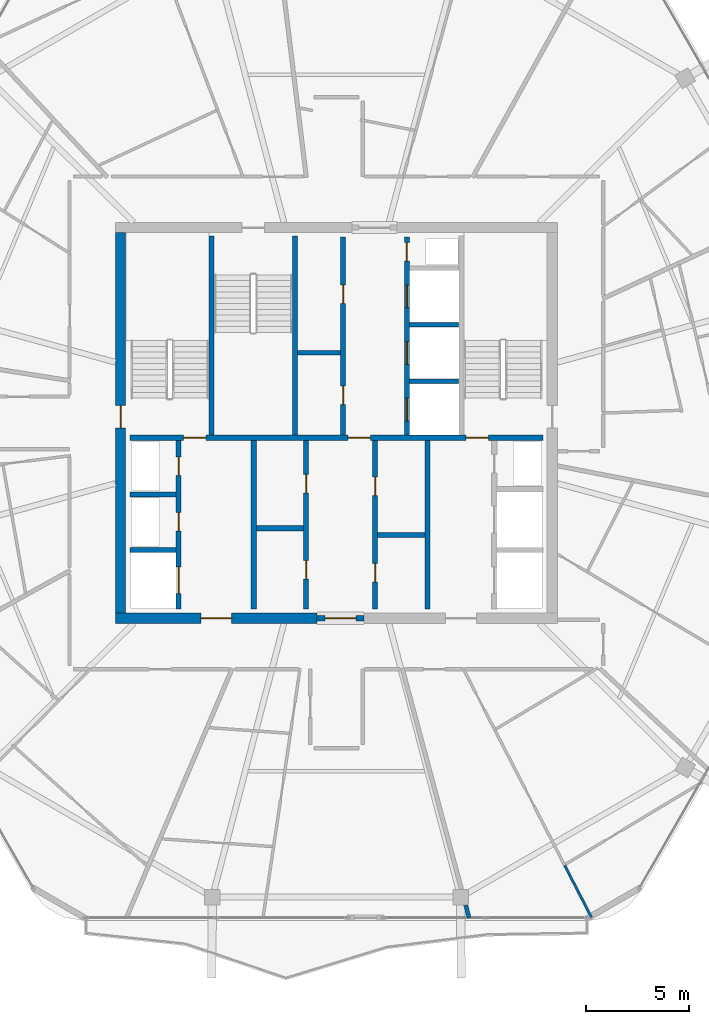
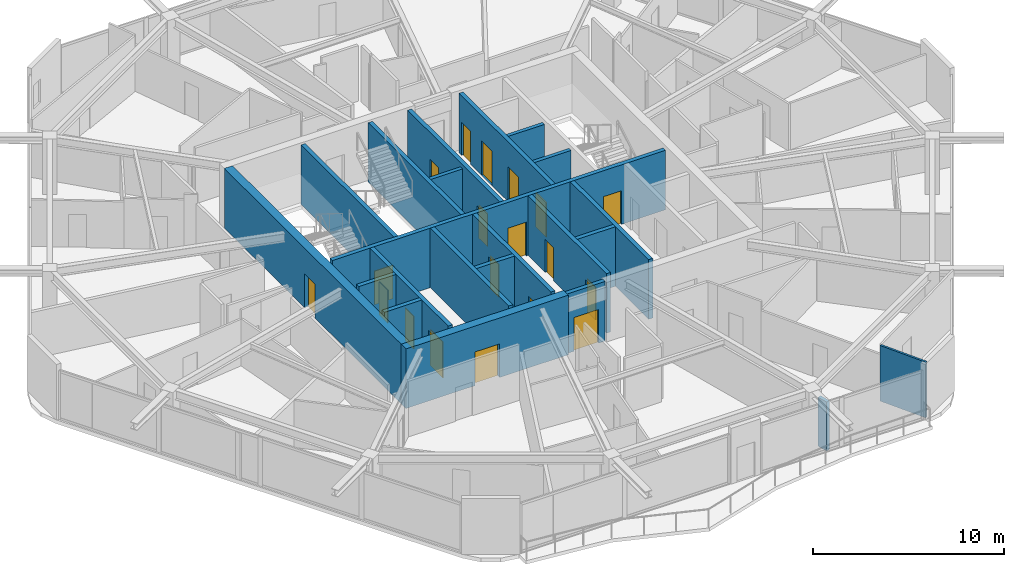
# One storey, part 16 of 21: 22 walls, 19 doors, 19 openings.
"""IFC4 building model written with IfcOpenShell, lengths in metres."""

from ifc_helpers import new_model, si_unit, direction, frame, frame_2d, origin, place, context, subcontext, project, spatial, rectangle, extrude, material, layer, layer_set, type_object, element, fill, save


model = new_model("IFC4")

# Units and contexts
model_context = context("Model", 3, precision=1e-05, world=origin(), true_north=direction((0.0, 1.0)))
body_context = subcontext(model_context, "Body", "Model", "MODEL_VIEW")
ifc_project = project(units=[si_unit("LENGTHUNIT", "METRE"), si_unit("AREAUNIT", "SQUARE_METRE"), si_unit("VOLUMEUNIT", "CUBIC_METRE"), si_unit("PLANEANGLEUNIT", "RADIAN"), si_unit("MASSUNIT", "GRAM", prefix="KILO")], contexts=[model_context])

# Site, building, storey
site_placement = place(None, origin())
site = spatial("IfcSite", under=ifc_project, at=site_placement, CompositionType="ELEMENT")
building_placement = place(site_placement, origin())
building = spatial("IfcBuilding", under=site, at=building_placement, Name="Zuhravey Tower", CompositionType="ELEMENT")
storey_placement = place(building_placement, frame((0.0, 0.0, 334.800048828125)))
storey = spatial("IfcBuildingStorey", under=building, at=storey_placement, Name="L85", CompositionType="ELEMENT", Elevation=334.800048828125)

# Wall, opening, door
ifc_material_1 = material(Name="Concrete C50/60", Category="concrete")
ifc_layer_1 = layer(ifc_material_1, 0.5)
ifc_layer_set_1 = layer_set([ifc_layer_1], Name="Concrete C50/60")
wall_type_1 = type_object("IfcWallType", Name="Core Shear Wall 500", PredefinedType="SHEAR", material=ifc_layer_set_1)
wall_1_placement = place(storey_placement, frame((25.25, 22.5, 0.0), z_axis=(0.0, 0.0, 1.0), x_axis=(1.0, 0.0, 0.0)))
wall_1 = element("IfcWall", 1, at=wall_1_placement, inside=storey, type_object=wall_type_1, Name="L85 South-West Core Shear Wall CW50", PredefinedType="SHEAR", context=body_context, shape_type="SweptSolid", body=[
    extrude(rectangle(XDim=9.800048828125, YDim=0.5, at=frame_2d((4.89990234375, 0.0))), origin(), (0.0, 0.0, 1.0), 3.800048828125),
])
opening_1_placement = place(wall_1_placement, frame((4.14990234375, 0.0, 0.0)))
opening_1 = element("IfcOpeningElement", 2, at=opening_1_placement, cuts=wall_1, Name="Opening FFD1", PredefinedType="OPENING", context=body_context, shape_type="SweptSolid", body=[
    extrude(rectangle(XDim=1.5, YDim=2.14990234375, at=frame_2d((0.75, 1.074951171875))), frame((0.0, 0.261962890625, 0.0), z_axis=(0.0, -1.0, 0.0), x_axis=(1.0, 0.0, 0.0)), (0.0, 0.0, 1.0), 0.52392578125),
])
ifc_material_2 = material(Name="Galvanised fire-rated steel leaf", Category="steel")
door_type_1 = type_object("IfcDoorType", Name="Firefighting Lobby Double Door 1500x2150", OperationType="DOUBLE_DOOR_SINGLE_SWING", PredefinedType="DOOR", material=ifc_material_2)
door_1_placement = place(opening_1_placement, origin())
door_1 = element("IfcDoor", 3, at=door_1_placement, inside=storey, type_object=door_type_1, Name="L85 Firefighting Lobby West Door", OperationType="DOUBLE_DOOR_SINGLE_SWING", OverallHeight=2.14990234375, OverallWidth=1.5, PredefinedType="DOOR", context=body_context, shape_type="SweptSolid", body=[
    extrude(rectangle(XDim=1.5, YDim=2.14990234375, at=frame_2d((0.75, 1.074951171875))), frame((0.0, 0.02490234375, 0.0), z_axis=(0.0, -1.0, 0.0), x_axis=(1.0, 0.0, 0.0)), (0.0, 0.0, 1.0), 0.050048828125),
])
fill(opening_1, door_1)

wall_2_placement = place(storey_placement, frame((25.5, 22.75, 0.0), z_axis=(0.0, 0.0, 1.0), x_axis=(0.0, 1.0, 0.0)))
wall_2 = element("IfcWall", 4, at=wall_2_placement, inside=storey, type_object=wall_type_1, Name="L85 West Core Shear Wall CW50", PredefinedType="SHEAR", context=body_context, shape_type="SweptSolid", body=[
    extrude(rectangle(XDim=18.5, YDim=0.5, at=frame_2d((9.25, 0.0))), origin(), (0.0, 0.0, 1.0), 3.800048828125),
])
opening_2_placement = place(wall_2_placement, frame((9.0, 0.0, 0.0)))
opening_2 = element("IfcOpeningElement", 5, at=opening_2_placement, cuts=wall_2, Name="Opening STD1", PredefinedType="OPENING", context=body_context, shape_type="SweptSolid", body=[
    extrude(rectangle(XDim=1.10009765625, YDim=2.14990234375, at=frame_2d((0.550048828125, 1.074951171875))), frame((0.0, 0.261962890625, 0.0), z_axis=(0.0, -1.0, 0.0), x_axis=(1.0, 0.0, 0.0)), (0.0, 0.0, 1.0), 0.52392578125),
])
door_type_2 = type_object("IfcDoorType", Name="Protected Stair Fire Door 1100x2150", OperationType="NOTDEFINED", PredefinedType="USERDEFINED", material=ifc_material_2)
door_2_placement = place(opening_2_placement, frame((1.10009765625, 0.0, 0.0), z_axis=(0.0, 0.0, 1.0), x_axis=(-1.0, 0.0, 0.0)))
door_2 = element("IfcDoor", 6, at=door_2_placement, inside=storey, type_object=door_type_2, Name="L85 Stair ST1 Door", ObjectType="EXITDOOR", OperationType="SINGLE_SWING_RIGHT", OverallHeight=2.14990234375, OverallWidth=1.10009765625, PredefinedType="USERDEFINED", context=body_context, shape_type="SweptSolid", body=[
    extrude(rectangle(XDim=1.10009765625, YDim=2.14990234375, at=frame_2d((0.550048828125, 1.074951171875))), frame((0.0, 0.02490234375, 0.0), z_axis=(0.0, -1.0, 0.0), x_axis=(1.0, 0.0, 0.0)), (0.0, 0.0, 1.0), 0.050048828125),
])
fill(opening_2, door_2)

ifc_layer_2 = layer(ifc_material_1, 0.25)
ifc_layer_set_2 = layer_set([ifc_layer_2], Name="Concrete C50/60")
wall_type_2 = type_object("IfcWallType", Name="Firefighting Shaft & Stair Wall 250", PredefinedType="SOLIDWALL", material=ifc_layer_set_2)
wall_3_placement = place(storey_placement, frame((35.06005859375, 22.5, 0.0), z_axis=(0.0, 0.0, 1.0), x_axis=(1.0, 0.0, 0.0)))
wall_3 = element("IfcWall", 7, at=wall_3_placement, inside=storey, type_object=wall_type_2, Name="L85 FW25 Shaft Wall 001", PredefinedType="SOLIDWALL", context=body_context, shape_type="SweptSolid", body=[
    extrude(rectangle(XDim=2.280029296875, YDim=0.25, at=frame_2d((1.14013671875, 0.0))), origin(), (0.0, 0.0, 1.0), 3.800048828125),
])
opening_3_placement = place(wall_3_placement, frame((0.389892578125, 0.0, 0.0)))
opening_3 = element("IfcOpeningElement", 8, at=opening_3_placement, cuts=wall_3, Name="Opening FFD1", PredefinedType="OPENING", context=body_context, shape_type="SweptSolid", body=[
    extrude(rectangle(XDim=1.5, YDim=2.14990234375, at=frame_2d((0.75, 1.074951171875))), frame((0.0, 0.136962890625, 0.0), z_axis=(0.0, -1.0, 0.0), x_axis=(1.0, 0.0, 0.0)), (0.0, 0.0, 1.0), 0.27392578125),
])
door_3_placement = place(opening_3_placement, frame((1.5, 0.0, 0.0), z_axis=(0.0, 0.0, 1.0), x_axis=(-1.0, 0.0, 0.0)))
door_3 = element("IfcDoor", 9, at=door_3_placement, inside=storey, type_object=door_type_1, Name="L85 South Lift Lobby Exit Door", OperationType="DOUBLE_DOOR_SINGLE_SWING", OverallHeight=2.14990234375, OverallWidth=1.5, PredefinedType="DOOR", context=body_context, shape_type="SweptSolid", body=[
    extrude(rectangle(XDim=1.5, YDim=2.14990234375, at=frame_2d((0.75, 1.074951171875))), frame((0.0, 0.02490234375, 0.0), z_axis=(0.0, -1.0, 0.0), x_axis=(1.0, 0.0, 0.0)), (0.0, 0.0, 1.0), 0.050048828125),
])
fill(opening_3, door_3)

# Wall, openings, doors
wall_4_placement = place(storey_placement, frame((25.949951171875, 31.27490234375, 0.0), z_axis=(0.0, 0.0, 1.0), x_axis=(1.0, 0.0, 0.0)))
wall_4 = element("IfcWall", 10, at=wall_4_placement, inside=storey, type_object=wall_type_2, Name="L85 FW25 Shaft Wall 003", PredefinedType="SOLIDWALL", context=body_context, shape_type="SweptSolid", body=[
    extrude(rectangle(XDim=20.10009765625, YDim=0.25, at=frame_2d((10.050048828125, 0.0))), origin(), (0.0, 0.0, 1.0), 3.800048828125),
])
opening_4_placement = place(wall_4_placement, frame((2.60009765625, 0.0, 0.0)))
opening_4 = element("IfcOpeningElement", 11, at=opening_4_placement, cuts=wall_4, Name="Opening STD1", PredefinedType="OPENING", context=body_context, shape_type="SweptSolid", body=[
    extrude(rectangle(XDim=1.10009765625, YDim=2.14990234375, at=frame_2d((0.550048828125, 1.074951171875))), frame((0.0, 0.136962890625, 0.0), z_axis=(0.0, -1.0, 0.0), x_axis=(1.0, 0.0, 0.0)), (0.0, 0.0, 1.0), 0.27392578125),
])
opening_5_placement = place(wall_4_placement, frame((10.60009765625, 0.0, 0.0)))
opening_5 = element("IfcOpeningElement", 12, at=opening_5_placement, cuts=wall_4, Name="Opening STD1", PredefinedType="OPENING", context=body_context, shape_type="SweptSolid", body=[
    extrude(rectangle(XDim=1.10009765625, YDim=2.14990234375, at=frame_2d((0.550048828125, 1.074951171875))), frame((0.0, 0.136962890625, 0.0), z_axis=(0.0, -1.0, 0.0), x_axis=(1.0, 0.0, 0.0)), (0.0, 0.0, 1.0), 0.27392578125),
])
opening_6_placement = place(wall_4_placement, frame((16.35009765625, 0.0, 0.0)))
opening_6 = element("IfcOpeningElement", 13, at=opening_6_placement, cuts=wall_4, Name="Opening STD1", PredefinedType="OPENING", context=body_context, shape_type="SweptSolid", body=[
    extrude(rectangle(XDim=1.10009765625, YDim=2.14990234375, at=frame_2d((0.550048828125, 1.074951171875))), frame((0.0, 0.136962890625, 0.0), z_axis=(0.0, -1.0, 0.0), x_axis=(1.0, 0.0, 0.0)), (0.0, 0.0, 1.0), 0.27392578125),
])
door_4_placement = place(opening_4_placement, origin())
door_4 = element("IfcDoor", 14, at=door_4_placement, inside=storey, type_object=door_type_2, Name="L85 FFL-W to ST1 Door", ObjectType="EXITDOOR", OperationType="SINGLE_SWING_LEFT", OverallHeight=2.14990234375, OverallWidth=1.10009765625, PredefinedType="USERDEFINED", context=body_context, shape_type="SweptSolid", body=[
    extrude(rectangle(XDim=1.10009765625, YDim=2.14990234375, at=frame_2d((0.550048828125, 1.074951171875))), frame((0.0, 0.02490234375, 0.0), z_axis=(0.0, -1.0, 0.0), x_axis=(1.0, 0.0, 0.0)), (0.0, 0.0, 1.0), 0.050048828125),
])
fill(opening_4, door_4)
door_5_placement = place(opening_5_placement, origin())
door_5 = element("IfcDoor", 15, at=door_5_placement, inside=storey, type_object=door_type_2, Name="L85 Core Lobby Link Door", ObjectType="EXITDOOR", OperationType="SINGLE_SWING_RIGHT", OverallHeight=2.14990234375, OverallWidth=1.10009765625, PredefinedType="USERDEFINED", context=body_context, shape_type="SweptSolid", body=[
    extrude(rectangle(XDim=1.10009765625, YDim=2.14990234375, at=frame_2d((0.550048828125, 1.074951171875))), frame((0.0, 0.02490234375, 0.0), z_axis=(0.0, -1.0, 0.0), x_axis=(1.0, 0.0, 0.0)), (0.0, 0.0, 1.0), 0.050048828125),
])
fill(opening_5, door_5)
door_6_placement = place(opening_6_placement, origin())
door_6 = element("IfcDoor", 16, at=door_6_placement, inside=storey, type_object=door_type_2, Name="L85 FFL-E to ST2 Door", ObjectType="EXITDOOR", OperationType="SINGLE_SWING_LEFT", OverallHeight=2.14990234375, OverallWidth=1.10009765625, PredefinedType="USERDEFINED", context=body_context, shape_type="SweptSolid", body=[
    extrude(rectangle(XDim=1.10009765625, YDim=2.14990234375, at=frame_2d((0.550048828125, 1.074951171875))), frame((0.0, 0.02490234375, 0.0), z_axis=(0.0, -1.0, 0.0), x_axis=(1.0, 0.0, 0.0)), (0.0, 0.0, 1.0), 0.050048828125),
])
fill(opening_6, door_6)

# Walls
for number, where, z_axis, x_axis, name in (
    (17, (29.925048828125, 31.39990234375, 0.0), (0.0, 0.0, 1.0), (0.0, 1.0, 0.0), "L85 FW25 Shaft Wall 004"),
    (18, (33.97509765625, 31.39990234375, 0.0), (0.0, 0.0, 1.0), (0.0, 1.0, 0.0), "L85 FW25 Shaft Wall 005"),
):
    element("IfcWall", number, at=place(storey_placement, frame(where, z_axis=z_axis, x_axis=x_axis)), inside=storey, type_object=wall_type_2, Name=name, PredefinedType="SOLIDWALL", context=body_context, shape_type="SweptSolid", body=[
        extrude(rectangle(XDim=9.7001953125, YDim=0.25, at=frame_2d((4.85009765625, 0.0))), origin(), (0.0, 0.0, 1.0), 3.800048828125),
    ])

# Wall, openings, doors
wall_5_placement = place(storey_placement, frame((36.324951171875, 31.39990234375, 0.0), z_axis=(0.0, 0.0, 1.0), x_axis=(0.0, 1.0, 0.0)))
wall_5 = element("IfcWall", 19, at=wall_5_placement, inside=storey, type_object=wall_type_2, Name="L85 FW25 Shaft Wall 007", PredefinedType="SOLIDWALL", context=body_context, shape_type="SweptSolid", body=[
    extrude(rectangle(XDim=9.650146484375, YDim=0.25, at=frame_2d((4.8251953125, 0.0))), origin(), (0.0, 0.0, 1.0), 3.800048828125),
])
opening_7_placement = place(wall_5_placement, frame((1.489990234375, 0.0, 0.0)))
opening_7 = element("IfcOpeningElement", 20, at=opening_7_placement, cuts=wall_5, Name="Opening RSD1", PredefinedType="OPENING", context=body_context, shape_type="SweptSolid", body=[
    extrude(rectangle(XDim=0.89990234375, YDim=2.10009765625, at=frame_2d((0.449951171875, 1.050048828125))), frame((0.0, 0.136962890625, 0.0), z_axis=(0.0, -1.0, 0.0), x_axis=(1.0, 0.0, 0.0)), (0.0, 0.0, 1.0), 0.27392578125),
])
opening_8_placement = place(wall_5_placement, frame((6.409912109375, 0.0, 0.0)))
opening_8 = element("IfcOpeningElement", 21, at=opening_8_placement, cuts=wall_5, Name="Opening RSD1", PredefinedType="OPENING", context=body_context, shape_type="SweptSolid", body=[
    extrude(rectangle(XDim=0.89990234375, YDim=2.10009765625, at=frame_2d((0.449951171875, 1.050048828125))), frame((0.0, 0.136962890625, 0.0), z_axis=(0.0, -1.0, 0.0), x_axis=(1.0, 0.0, 0.0)), (0.0, 0.0, 1.0), 0.27392578125),
])
ifc_material_3 = material(Name="Galvanised fire-rated steel access leaf", Category="steel")
door_type_3 = type_object("IfcDoorType", Name="Riser & Shaft Access Fire Door 900x2100", OperationType="NOTDEFINED", PredefinedType="DOOR", material=ifc_material_3)
door_7_placement = place(opening_7_placement, origin())
door_7 = element("IfcDoor", 22, at=door_7_placement, inside=storey, type_object=door_type_3, Name="L85 Core Cleaner Store Door", OperationType="SINGLE_SWING_RIGHT", OverallHeight=2.10009765625, OverallWidth=0.89990234375, PredefinedType="DOOR", context=body_context, shape_type="SweptSolid", body=[
    extrude(rectangle(XDim=0.89990234375, YDim=2.10009765625, at=frame_2d((0.449951171875, 1.050048828125))), frame((0.0, 0.02490234375, 0.0), z_axis=(0.0, -1.0, 0.0), x_axis=(1.0, 0.0, 0.0)), (0.0, 0.0, 1.0), 0.050048828125),
])
fill(opening_7, door_7)
door_8_placement = place(opening_8_placement, origin())
door_8 = element("IfcDoor", 23, at=door_8_placement, inside=storey, type_object=door_type_3, Name="L85 Core Pantry and Tea Room Door", OperationType="SINGLE_SWING_LEFT", OverallHeight=2.10009765625, OverallWidth=0.89990234375, PredefinedType="DOOR", context=body_context, shape_type="SweptSolid", body=[
    extrude(rectangle(XDim=0.89990234375, YDim=2.10009765625, at=frame_2d((0.449951171875, 1.050048828125))), frame((0.0, 0.02490234375, 0.0), z_axis=(0.0, -1.0, 0.0), x_axis=(1.0, 0.0, 0.0)), (0.0, 0.0, 1.0), 0.050048828125),
])
fill(opening_8, door_8)

wall_6_placement = place(storey_placement, frame((39.425048828125, 31.39990234375, 0.0), z_axis=(0.0, 0.0, 1.0), x_axis=(0.0, 1.0, 0.0)))
wall_6 = element("IfcWall", 24, at=wall_6_placement, inside=storey, type_object=wall_type_2, Name="L85 FW25 Shaft Wall 008", PredefinedType="SOLIDWALL", context=body_context, shape_type="SweptSolid", body=[
    extrude(rectangle(XDim=9.650146484375, YDim=0.25, at=frame_2d((4.8251953125, 0.0))), origin(), (0.0, 0.0, 1.0), 3.800048828125),
])
opening_9_placement = place(wall_6_placement, frame((0.699951171875, 0.0, 0.0)))
opening_9 = element("IfcOpeningElement", 25, at=opening_9_placement, cuts=wall_6, Name="Opening LD1", PredefinedType="OPENING", context=body_context, shape_type="SweptSolid", body=[
    extrude(rectangle(XDim=1.10009765625, YDim=2.199951171875, at=frame_2d((0.550048828125, 1.10009765625))), frame((0.0, 0.136962890625, 0.0), z_axis=(0.0, -1.0, 0.0), x_axis=(1.0, 0.0, 0.0)), (0.0, 0.0, 1.0), 0.27392578125),
])
opening_10_placement = place(wall_6_placement, frame((3.449951171875, 0.0, 0.0)))
opening_10 = element("IfcOpeningElement", 26, at=opening_10_placement, cuts=wall_6, Name="Opening LD1", PredefinedType="OPENING", context=body_context, shape_type="SweptSolid", body=[
    extrude(rectangle(XDim=1.10009765625, YDim=2.199951171875, at=frame_2d((0.550048828125, 1.10009765625))), frame((0.0, 0.136962890625, 0.0), z_axis=(0.0, -1.0, 0.0), x_axis=(1.0, 0.0, 0.0)), (0.0, 0.0, 1.0), 0.27392578125),
])
opening_11_placement = place(wall_6_placement, frame((6.199951171875, 0.0, 0.0)))
opening_11 = element("IfcOpeningElement", 27, at=opening_11_placement, cuts=wall_6, Name="Opening LD1", PredefinedType="OPENING", context=body_context, shape_type="SweptSolid", body=[
    extrude(rectangle(XDim=1.10009765625, YDim=2.199951171875, at=frame_2d((0.550048828125, 1.10009765625))), frame((0.0, 0.136962890625, 0.0), z_axis=(0.0, -1.0, 0.0), x_axis=(1.0, 0.0, 0.0)), (0.0, 0.0, 1.0), 0.27392578125),
])
opening_12_placement = place(wall_6_placement, frame((8.469970703125, 0.0, 0.0)))
opening_12 = element("IfcOpeningElement", 28, at=opening_12_placement, cuts=wall_6, Name="Opening RSD1", PredefinedType="OPENING", context=body_context, shape_type="SweptSolid", body=[
    extrude(rectangle(XDim=0.89990234375, YDim=2.10009765625, at=frame_2d((0.449951171875, 1.050048828125))), frame((0.0, 0.136962890625, 0.0), z_axis=(0.0, -1.0, 0.0), x_axis=(1.0, 0.0, 0.0)), (0.0, 0.0, 1.0), 0.27392578125),
])
ifc_material_4 = material(Name="Brushed stainless steel", Category="steel")
door_type_4 = type_object("IfcDoorType", Name="Lift Landing Sliding Door 1100x2200", OperationType="DOUBLE_DOOR_SLIDING", PredefinedType="DOOR", material=ifc_material_4)
door_9_placement = place(opening_9_placement, origin())
door_9 = element("IfcDoor", 29, at=door_9_placement, inside=storey, type_object=door_type_4, Name="L85 Lift PL7 Landing Door", OperationType="DOUBLE_DOOR_SLIDING", OverallHeight=2.199951171875, OverallWidth=1.10009765625, PredefinedType="DOOR", context=body_context, shape_type="SweptSolid", body=[
    extrude(rectangle(XDim=1.10009765625, YDim=2.199951171875, at=frame_2d((0.550048828125, 1.10009765625))), frame((0.0, 0.02490234375, 0.0), z_axis=(0.0, -1.0, 0.0), x_axis=(1.0, 0.0, 0.0)), (0.0, 0.0, 1.0), 0.050048828125),
])
fill(opening_9, door_9)
door_10_placement = place(opening_10_placement, origin())
door_10 = element("IfcDoor", 30, at=door_10_placement, inside=storey, type_object=door_type_4, Name="L85 Lift PL8 Landing Door", OperationType="DOUBLE_DOOR_SLIDING", OverallHeight=2.199951171875, OverallWidth=1.10009765625, PredefinedType="DOOR", context=body_context, shape_type="SweptSolid", body=[
    extrude(rectangle(XDim=1.10009765625, YDim=2.199951171875, at=frame_2d((0.550048828125, 1.10009765625))), frame((0.0, 0.02490234375, 0.0), z_axis=(0.0, -1.0, 0.0), x_axis=(1.0, 0.0, 0.0)), (0.0, 0.0, 1.0), 0.050048828125),
])
fill(opening_10, door_10)
door_11_placement = place(opening_11_placement, origin())
door_11 = element("IfcDoor", 31, at=door_11_placement, inside=storey, type_object=door_type_4, Name="L85 Lift PL9 Landing Door", OperationType="DOUBLE_DOOR_SLIDING", OverallHeight=2.199951171875, OverallWidth=1.10009765625, PredefinedType="DOOR", context=body_context, shape_type="SweptSolid", body=[
    extrude(rectangle(XDim=1.10009765625, YDim=2.199951171875, at=frame_2d((0.550048828125, 1.10009765625))), frame((0.0, 0.02490234375, 0.0), z_axis=(0.0, -1.0, 0.0), x_axis=(1.0, 0.0, 0.0)), (0.0, 0.0, 1.0), 0.050048828125),
])
fill(opening_11, door_11)
door_12_placement = place(opening_12_placement, origin())
door_12 = element("IfcDoor", 32, at=door_12_placement, inside=storey, type_object=door_type_3, Name="L85 North Riser Door", OperationType="SINGLE_SWING_RIGHT", OverallHeight=2.10009765625, OverallWidth=0.89990234375, PredefinedType="DOOR", context=body_context, shape_type="SweptSolid", body=[
    extrude(rectangle(XDim=0.89990234375, YDim=2.10009765625, at=frame_2d((0.449951171875, 1.050048828125))), frame((0.0, 0.02490234375, 0.0), z_axis=(0.0, -1.0, 0.0), x_axis=(1.0, 0.0, 0.0)), (0.0, 0.0, 1.0), 0.050048828125),
])
fill(opening_12, door_12)

# Walls
for number, where, z_axis, x_axis, name in (
    (33, (25.949951171875, 25.824951171875, 0.0), (0.0, 0.0, 1.0), (1.0, 0.0, 0.0), "L85 FW25 Shaft Wall 009"),
    (34, (25.949951171875, 28.52490234375, 0.0), (0.0, 0.0, 1.0), (1.0, 0.0, 0.0), "L85 FW25 Shaft Wall 010"),
):
    element("IfcWall", number, at=place(storey_placement, frame(where, z_axis=z_axis, x_axis=x_axis)), inside=storey, type_object=wall_type_2, Name=name, PredefinedType="SOLIDWALL", context=body_context, shape_type="SweptSolid", body=[
        extrude(rectangle(XDim=2.25, YDim=0.25, at=frame_2d((1.125, 0.0))), origin(), (0.0, 0.0, 1.0), 3.800048828125),
    ])

# Wall, openings, doors
wall_7_placement = place(storey_placement, frame((28.324951171875, 22.949951171875, 0.0), z_axis=(0.0, 0.0, 1.0), x_axis=(0.0, 1.0, 0.0)))
wall_7 = element("IfcWall", 35, at=wall_7_placement, inside=storey, type_object=wall_type_2, Name="L85 FW25 Shaft Wall 011", PredefinedType="SOLIDWALL", context=body_context, shape_type="SweptSolid", body=[
    extrude(rectangle(XDim=8.199951171875, YDim=0.25, at=frame_2d((4.10009765625, 0.0))), origin(), (0.0, 0.0, 1.0), 3.800048828125),
])
opening_13_placement = place(wall_7_placement, frame((0.75, 0.0, 0.0)))
opening_13 = element("IfcOpeningElement", 36, at=opening_13_placement, cuts=wall_7, Name="Opening LD2", PredefinedType="OPENING", context=body_context, shape_type="SweptSolid", body=[
    extrude(rectangle(XDim=1.300048828125, YDim=2.300048828125, at=frame_2d((0.64990234375, 1.14990234375))), frame((0.0, 0.136962890625, 0.0), z_axis=(0.0, -1.0, 0.0), x_axis=(1.0, 0.0, 0.0)), (0.0, 0.0, 1.0), 0.27392578125),
])
opening_14_placement = place(wall_7_placement, frame((3.780029296875, 0.0, 0.0)))
opening_14 = element("IfcOpeningElement", 37, at=opening_14_placement, cuts=wall_7, Name="Opening RSD1", PredefinedType="OPENING", context=body_context, shape_type="SweptSolid", body=[
    extrude(rectangle(XDim=0.89990234375, YDim=2.10009765625, at=frame_2d((0.449951171875, 1.050048828125))), frame((0.0, 0.136962890625, 0.0), z_axis=(0.0, -1.0, 0.0), x_axis=(1.0, 0.0, 0.0)), (0.0, 0.0, 1.0), 0.27392578125),
])
opening_15_placement = place(wall_7_placement, frame((6.5, 0.0, 0.0)))
opening_15 = element("IfcOpeningElement", 38, at=opening_15_placement, cuts=wall_7, Name="Opening RSD1", PredefinedType="OPENING", context=body_context, shape_type="SweptSolid", body=[
    extrude(rectangle(XDim=0.89990234375, YDim=2.10009765625, at=frame_2d((0.449951171875, 1.050048828125))), frame((0.0, 0.136962890625, 0.0), z_axis=(0.0, -1.0, 0.0), x_axis=(1.0, 0.0, 0.0)), (0.0, 0.0, 1.0), 0.27392578125),
])
door_type_5 = type_object("IfcDoorType", Name="Freight & Stretcher Lift Sliding Door 1300x2300", OperationType="DOUBLE_DOOR_SLIDING", PredefinedType="DOOR", material=ifc_material_4)
door_13_placement = place(opening_13_placement, frame((1.300048828125, 0.0, 0.0), z_axis=(0.0, 0.0, 1.0), x_axis=(-1.0, 0.0, 0.0)))
door_13 = element("IfcDoor", 39, at=door_13_placement, inside=storey, type_object=door_type_5, Name="L85 Lift FF1 Landing Door", OperationType="DOUBLE_DOOR_SLIDING", OverallHeight=2.300048828125, OverallWidth=1.300048828125, PredefinedType="DOOR", context=body_context, shape_type="SweptSolid", body=[
    extrude(rectangle(XDim=1.300048828125, YDim=2.300048828125, at=frame_2d((0.64990234375, 1.14990234375))), frame((0.0, 0.02490234375, 0.0), z_axis=(0.0, -1.0, 0.0), x_axis=(1.0, 0.0, 0.0)), (0.0, 0.0, 1.0), 0.050048828125),
])
fill(opening_13, door_13)
door_14_placement = place(opening_14_placement, frame((0.89990234375, 0.0, 0.0), z_axis=(0.0, 0.0, 1.0), x_axis=(-1.0, 0.0, 0.0)))
door_14 = element("IfcDoor", 40, at=door_14_placement, inside=storey, type_object=door_type_3, Name="L85 Electrical Riser Door", OperationType="SINGLE_SWING_LEFT", OverallHeight=2.10009765625, OverallWidth=0.89990234375, PredefinedType="DOOR", context=body_context, shape_type="SweptSolid", body=[
    extrude(rectangle(XDim=0.89990234375, YDim=2.10009765625, at=frame_2d((0.449951171875, 1.050048828125))), frame((0.0, 0.02490234375, 0.0), z_axis=(0.0, -1.0, 0.0), x_axis=(1.0, 0.0, 0.0)), (0.0, 0.0, 1.0), 0.050048828125),
])
fill(opening_14, door_14)
door_15_placement = place(opening_15_placement, frame((0.89990234375, 0.0, 0.0), z_axis=(0.0, 0.0, 1.0), x_axis=(-1.0, 0.0, 0.0)))
door_15 = element("IfcDoor", 41, at=door_15_placement, inside=storey, type_object=door_type_3, Name="L85 Smoke Shaft Access Door", OperationType="SINGLE_SWING_RIGHT", OverallHeight=2.10009765625, OverallWidth=0.89990234375, PredefinedType="DOOR", context=body_context, shape_type="SweptSolid", body=[
    extrude(rectangle(XDim=0.89990234375, YDim=2.10009765625, at=frame_2d((0.449951171875, 1.050048828125))), frame((0.0, 0.02490234375, 0.0), z_axis=(0.0, -1.0, 0.0), x_axis=(1.0, 0.0, 0.0)), (0.0, 0.0, 1.0), 0.050048828125),
])
fill(opening_15, door_15)

# Walls
wall_8_placement = place(storey_placement, frame((31.97509765625, 22.949951171875, 0.0), z_axis=(0.0, 0.0, 1.0), x_axis=(0.0, 1.0, 0.0)))
element("IfcWall", 42, at=wall_8_placement, inside=storey, type_object=wall_type_2, Name="L85 FW25 Shaft Wall 012", PredefinedType="SOLIDWALL", context=body_context, shape_type="SweptSolid", body=[
    extrude(rectangle(XDim=8.199951171875, YDim=0.25, at=frame_2d((4.10009765625, 0.0))), origin(), (0.0, 0.0, 1.0), 3.800048828125),
])
wall_9_placement = place(storey_placement, frame((32.10009765625, 26.875, 0.0), z_axis=(0.0, 0.0, 1.0), x_axis=(1.0, 0.0, 0.0)))
element("IfcWall", 43, at=wall_9_placement, inside=storey, type_object=wall_type_2, Name="L85 FW25 Shaft Wall 013", PredefinedType="SOLIDWALL", context=body_context, shape_type="SweptSolid", body=[
    extrude(rectangle(XDim=2.2998046875, YDim=0.25, at=frame_2d((1.14990234375, 0.0))), origin(), (0.0, 0.0, 1.0), 3.800048828125),
])

# Wall, openings, doors
wall_10_placement = place(storey_placement, frame((34.52490234375, 22.949951171875, 0.0), z_axis=(0.0, 0.0, 1.0), x_axis=(0.0, 1.0, 0.0)))
wall_10 = element("IfcWall", 44, at=wall_10_placement, inside=storey, type_object=wall_type_2, Name="L85 FW25 Shaft Wall 014", PredefinedType="SOLIDWALL", context=body_context, shape_type="SweptSolid", body=[
    extrude(rectangle(XDim=8.199951171875, YDim=0.25, at=frame_2d((4.10009765625, 0.0))), origin(), (0.0, 0.0, 1.0), 3.800048828125),
])
opening_16_placement = place(wall_10_placement, frame((1.449951171875, 0.0, 0.0)))
opening_16 = element("IfcOpeningElement", 45, at=opening_16_placement, cuts=wall_10, Name="Opening RSD1", PredefinedType="OPENING", context=body_context, shape_type="SweptSolid", body=[
    extrude(rectangle(XDim=0.89990234375, YDim=2.10009765625, at=frame_2d((0.449951171875, 1.050048828125))), frame((0.0, 0.136962890625, 0.0), z_axis=(0.0, -1.0, 0.0), x_axis=(1.0, 0.0, 0.0)), (0.0, 0.0, 1.0), 0.27392578125),
])
opening_17_placement = place(wall_10_placement, frame((5.64990234375, 0.0, 0.0)))
opening_17 = element("IfcOpeningElement", 46, at=opening_17_placement, cuts=wall_10, Name="Opening RSD1", PredefinedType="OPENING", context=body_context, shape_type="SweptSolid", body=[
    extrude(rectangle(XDim=0.89990234375, YDim=2.10009765625, at=frame_2d((0.449951171875, 1.050048828125))), frame((0.0, 0.136962890625, 0.0), z_axis=(0.0, -1.0, 0.0), x_axis=(1.0, 0.0, 0.0)), (0.0, 0.0, 1.0), 0.27392578125),
])
door_16_placement = place(opening_16_placement, origin())
door_16 = element("IfcDoor", 47, at=door_16_placement, inside=storey, type_object=door_type_3, Name="L85 Housekeeping and Linen Room Door", OperationType="SINGLE_SWING_LEFT", OverallHeight=2.10009765625, OverallWidth=0.89990234375, PredefinedType="DOOR", context=body_context, shape_type="SweptSolid", body=[
    extrude(rectangle(XDim=0.89990234375, YDim=2.10009765625, at=frame_2d((0.449951171875, 1.050048828125))), frame((0.0, 0.02490234375, 0.0), z_axis=(0.0, -1.0, 0.0), x_axis=(1.0, 0.0, 0.0)), (0.0, 0.0, 1.0), 0.050048828125),
])
fill(opening_16, door_16)
door_17_placement = place(opening_17_placement, origin())
door_17 = element("IfcDoor", 48, at=door_17_placement, inside=storey, type_object=door_type_3, Name="L85 Telecoms Switch Closet Door", OperationType="SINGLE_SWING_RIGHT", OverallHeight=2.10009765625, OverallWidth=0.89990234375, PredefinedType="DOOR", context=body_context, shape_type="SweptSolid", body=[
    extrude(rectangle(XDim=0.89990234375, YDim=2.10009765625, at=frame_2d((0.449951171875, 1.050048828125))), frame((0.0, 0.02490234375, 0.0), z_axis=(0.0, -1.0, 0.0), x_axis=(1.0, 0.0, 0.0)), (0.0, 0.0, 1.0), 0.050048828125),
])
fill(opening_17, door_17)

# Wall
wall_11_placement = place(storey_placement, frame((38.0, 26.550048828125, 0.0), z_axis=(0.0, 0.0, 1.0), x_axis=(1.0, 0.0, 0.0)))
element("IfcWall", 49, at=wall_11_placement, inside=storey, type_object=wall_type_2, Name="L85 FW25 Shaft Wall 015", PredefinedType="SOLIDWALL", context=body_context, shape_type="SweptSolid", body=[
    extrude(rectangle(XDim=2.300048828125, YDim=0.25, at=frame_2d((1.14990234375, 0.0))), origin(), (0.0, 0.0, 1.0), 3.800048828125),
])

# Wall, openings, doors
wall_12_placement = place(storey_placement, frame((37.875, 22.949951171875, 0.0), z_axis=(0.0, 0.0, 1.0), x_axis=(0.0, 1.0, 0.0)))
wall_12 = element("IfcWall", 50, at=wall_12_placement, inside=storey, type_object=wall_type_2, Name="L85 FW25 Shaft Wall 016", PredefinedType="SOLIDWALL", context=body_context, shape_type="SweptSolid", body=[
    extrude(rectangle(XDim=8.199951171875, YDim=0.25, at=frame_2d((4.10009765625, 0.0))), origin(), (0.0, 0.0, 1.0), 3.800048828125),
])
opening_18_placement = place(wall_12_placement, frame((1.3125, 0.0, 0.0)))
opening_18 = element("IfcOpeningElement", 51, at=opening_18_placement, cuts=wall_12, Name="Opening RSD1", PredefinedType="OPENING", context=body_context, shape_type="SweptSolid", body=[
    extrude(rectangle(XDim=0.89990234375, YDim=2.10009765625, at=frame_2d((0.449951171875, 1.050048828125))), frame((0.0, 0.136962890625, 0.0), z_axis=(0.0, -1.0, 0.0), x_axis=(1.0, 0.0, 0.0)), (0.0, 0.0, 1.0), 0.27392578125),
])
opening_19_placement = place(wall_12_placement, frame((5.512451171875, 0.0, 0.0)))
opening_19 = element("IfcOpeningElement", 52, at=opening_19_placement, cuts=wall_12, Name="Opening RSD1", PredefinedType="OPENING", context=body_context, shape_type="SweptSolid", body=[
    extrude(rectangle(XDim=0.89990234375, YDim=2.10009765625, at=frame_2d((0.449951171875, 1.050048828125))), frame((0.0, 0.136962890625, 0.0), z_axis=(0.0, -1.0, 0.0), x_axis=(1.0, 0.0, 0.0)), (0.0, 0.0, 1.0), 0.27392578125),
])
door_18_placement = place(opening_18_placement, frame((0.89990234375, 0.0, 0.0), z_axis=(0.0, 0.0, 1.0), x_axis=(-1.0, 0.0, 0.0)))
door_18 = element("IfcDoor", 53, at=door_18_placement, inside=storey, type_object=door_type_3, Name="L85 Trunk Store Door", OperationType="SINGLE_SWING_LEFT", OverallHeight=2.10009765625, OverallWidth=0.89990234375, PredefinedType="DOOR", context=body_context, shape_type="SweptSolid", body=[
    extrude(rectangle(XDim=0.89990234375, YDim=2.10009765625, at=frame_2d((0.449951171875, 1.050048828125))), frame((0.0, 0.02490234375, 0.0), z_axis=(0.0, -1.0, 0.0), x_axis=(1.0, 0.0, 0.0)), (0.0, 0.0, 1.0), 0.050048828125),
])
fill(opening_18, door_18)
door_19_placement = place(opening_19_placement, frame((0.89990234375, 0.0, 0.0), z_axis=(0.0, 0.0, 1.0), x_axis=(-1.0, 0.0, 0.0)))
door_19 = element("IfcDoor", 54, at=door_19_placement, inside=storey, type_object=door_type_3, Name="L85 Fiber Room Door", OperationType="SINGLE_SWING_RIGHT", OverallHeight=2.10009765625, OverallWidth=0.89990234375, PredefinedType="DOOR", context=body_context, shape_type="SweptSolid", body=[
    extrude(rectangle(XDim=0.89990234375, YDim=2.10009765625, at=frame_2d((0.449951171875, 1.050048828125))), frame((0.0, 0.02490234375, 0.0), z_axis=(0.0, -1.0, 0.0), x_axis=(1.0, 0.0, 0.0)), (0.0, 0.0, 1.0), 0.050048828125),
])
fill(opening_19, door_19)

# Walls
wall_13_placement = place(storey_placement, frame((40.425048828125, 22.949951171875, 0.0), z_axis=(0.0, 0.0, 1.0), x_axis=(0.0, 1.0, 0.0)))
element("IfcWall", 55, at=wall_13_placement, inside=storey, type_object=wall_type_2, Name="L85 FW25 Shaft Wall 017", PredefinedType="SOLIDWALL", context=body_context, shape_type="SweptSolid", body=[
    extrude(rectangle(XDim=8.199951171875, YDim=0.25, at=frame_2d((4.10009765625, 0.0))), origin(), (0.0, 0.0, 1.0), 3.800048828125),
])
ifc_material_5 = material(Name="Gypsum double-stud party assembly")
ifc_layer_3 = layer(ifc_material_5, 0.199951171875)
ifc_layer_set_3 = layer_set([ifc_layer_3], Name="Gypsum double-stud party assembly")
wall_type_3 = type_object("IfcWallType", Name="Inter-Tenancy Party Wall 200", PredefinedType="PARTITIONING", material=ifc_layer_set_3)
wall_14_placement = place(storey_placement, frame((42.285888671875, 8.541015625, 0.0), z_axis=(0.0, 0.0, 1.0), x_axis=(0.258736085224, -0.965948051503, 0.0)))
element("IfcWall", 56, at=wall_14_placement, inside=storey, type_object=wall_type_3, Name="L85 IW20 Partition 079", PredefinedType="PARTITIONING", context=body_context, shape_type="SweptSolid", body=[
    extrude(rectangle(XDim=0.636962890625, YDim=0.199951171875, at=frame_2d((0.318359375, 0.0))), origin(), (0.0, 0.0, 1.0), 3.1220703125),
])
ifc_material_6 = material(Name="Gypsum acoustic stud assembly")
ifc_layer_4 = layer(ifc_material_6, 0.219970703125)
ifc_layer_set_4 = layer_set([ifc_layer_4], Name="Gypsum acoustic stud assembly")
wall_type_4 = type_object("IfcWallType", Name="School Acoustic Compartment Wall 220", PredefinedType="PARTITIONING", material=ifc_layer_set_4)
wall_15_placement = place(storey_placement, frame((34.10791015625, 35.39990234375, 0.0), z_axis=(0.0, 0.0, 1.0), x_axis=(1.0, 0.0, 0.0)))
element("IfcWall", 57, at=wall_15_placement, inside=storey, type_object=wall_type_4, Name="L85 IW22 Partition 059", PredefinedType="PARTITIONING", context=body_context, shape_type="SweptSolid", body=[
    extrude(rectangle(XDim=2.083984375, YDim=0.219970703125, at=frame_2d((1.0419921875, 0.0))), origin(), (0.0, 0.0, 1.0), 3.550048828125),
])
for number, where, z_axis, x_axis, name in (
    (58, (39.55810546875, 34.02490234375, 0.0), (0.0, 0.0, 1.0), (1.0, 0.0, 0.0), "L85 IW22 Partition 060"),
    (59, (39.55810546875, 36.77490234375, 0.0), (0.0, 0.0, 1.0), (1.0, 0.0, 0.0), "L85 IW22 Partition 061"),
):
    element("IfcWall", number, at=place(storey_placement, frame(where, z_axis=z_axis, x_axis=x_axis)), inside=storey, type_object=wall_type_4, Name=name, PredefinedType="PARTITIONING", context=body_context, shape_type="SweptSolid", body=[
        extrude(rectangle(XDim=2.3837890625, YDim=0.219970703125, at=frame_2d((1.19189453125, 0.0))), origin(), (0.0, 0.0, 1.0), 3.550048828125),
    ])
ifc_material_7 = material(Name="Gypsum metal-stud partition")
ifc_layer_5 = layer(ifc_material_7, 0.1201171875)
ifc_layer_set_5 = layer_set([ifc_layer_5], Name="Gypsum metal-stud partition")
wall_type_5 = type_object("IfcWallType", Name="Unit Internal Partition 120", PredefinedType="PARTITIONING", material=ifc_layer_set_5)
wall_16_placement = place(storey_placement, frame((47.09912109375, 10.477783203125, 0.0), z_axis=(0.0, 0.0, 1.0), x_axis=(0.458284902265, -0.888805348969, 0.0)))
element("IfcWall", 60, at=wall_16_placement, inside=storey, type_object=wall_type_5, Name="L85 IW12 Partition 081", PredefinedType="PARTITIONING", context=body_context, shape_type="SweptSolid", body=[
    extrude(rectangle(XDim=2.84912109375, YDim=0.1201171875, at=frame_2d((1.424560546875, 0.0))), origin(), (0.0, 0.0, 1.0), 3.550048828125),
])

save(model, "model.ifc")
